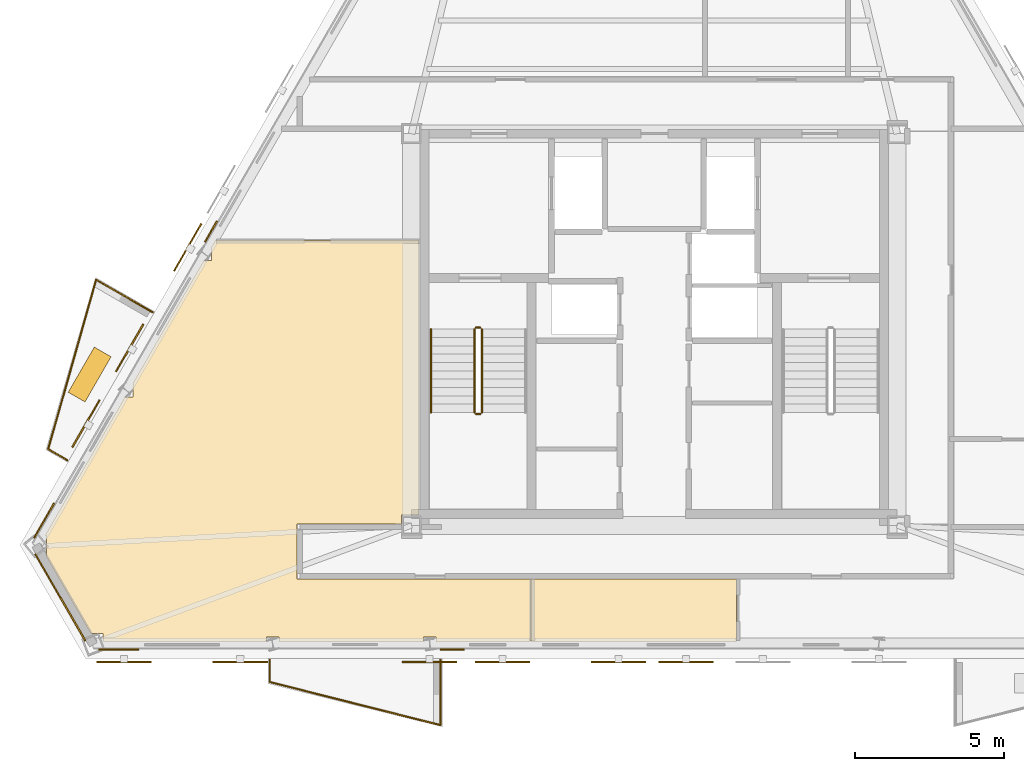
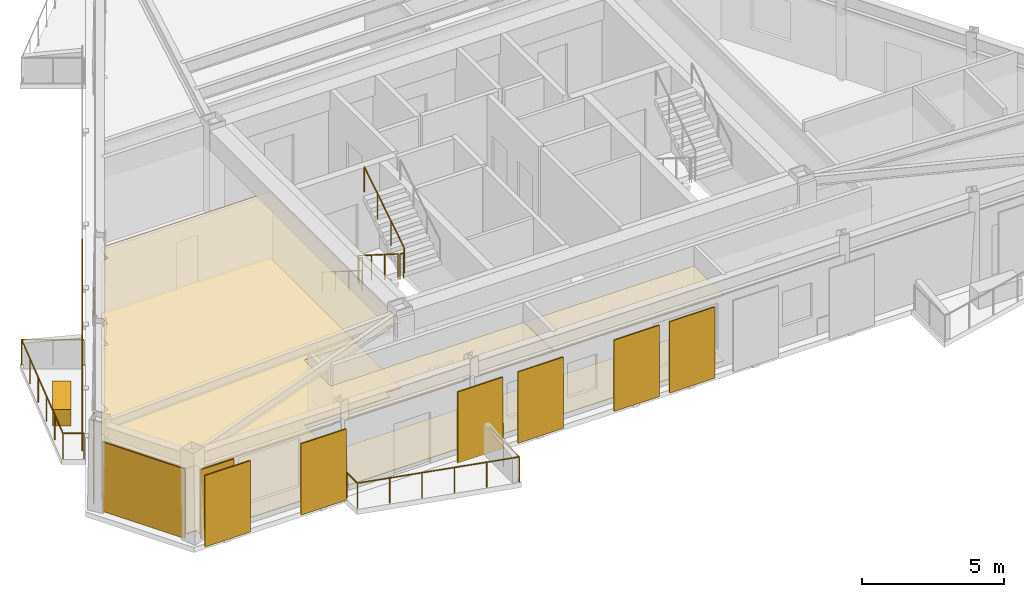
# One storey, part 6 of 9: 11 railings, 10 coverings, 9 shading devices.
"""IFC4 building model written with IfcOpenShell, lengths in metres."""

from ifc_helpers import new_model, si_unit, direction, frame, origin, origin_2d, place, context, subcontext, project, spatial, polyline, rectangle, circle, outline, extrude, material, layer, layer_set, type_object, element, save


model = new_model("IFC4")

# Units and contexts
model_context = context("Model", 3, precision=1e-05, world=origin(), true_north=direction((0.0, 1.0)))
body_context = subcontext(model_context, "Body", "Model", "MODEL_VIEW")
ifc_project = project(units=[si_unit("LENGTHUNIT", "METRE"), si_unit("AREAUNIT", "SQUARE_METRE"), si_unit("VOLUMEUNIT", "CUBIC_METRE"), si_unit("PLANEANGLEUNIT", "RADIAN"), si_unit("MASSUNIT", "GRAM", prefix="KILO")], contexts=[model_context])

# Site, building, storey
site_placement = place(None, origin())
site = spatial("IfcSite", under=ifc_project, at=site_placement, CompositionType="ELEMENT")
building_placement = place(site_placement, origin())
building = spatial("IfcBuilding", under=site, at=building_placement, Name="Oramaril Tower", CompositionType="ELEMENT")
storey_placement = place(building_placement, frame((0.0, 0.0, 301.199951171875)))
storey = spatial("IfcBuildingStorey", under=building, at=storey_placement, Name="L79", CompositionType="ELEMENT", Elevation=301.199951171875)

# Coverings
ifc_material_1 = material(Name="Mineral Fibre Acoustic Ceiling")
ifc_layer_1 = layer(ifc_material_1, 0.02001953125)
ifc_layer_set_1 = layer_set([ifc_layer_1], Name="CVT-CEIL")
covering_type_1 = type_object("IfcCoveringType", Name="CVT-CEIL", PredefinedType="CEILING", material=ifc_layer_set_1)
covering_1_placement = place(storey_placement, frame((0.0, 0.0, 2.81201171875)))
element("IfcCovering", 1, at=covering_1_placement, inside=storey, type_object=covering_type_1, Name="L79 Acoustic Suspended Ceiling 6", PredefinedType="CEILING", context=body_context, shape_type="SweptSolid", body=[
    extrude(outline(polyline([(33.35791015625, 7.105712890625), (33.35791015625, 9.199951171875), (40.250732421875, 9.199951171875), (40.250732421875, 7.105712890625), (33.35791015625, 7.105712890625)])), origin(), (0.0, 0.0, 1.0), 0.02001953125),
])
covering_2_placement = place(storey_placement, frame((0.0, 0.0, 2.81201171875)))
element("IfcCovering", 2, at=covering_2_placement, inside=storey, type_object=covering_type_1, Name="L79 Acoustic Suspended Ceiling 7", PredefinedType="CEILING", context=body_context, shape_type="SweptSolid", body=[
    extrude(outline(polyline([(19.9990234375, 15.31591796875), (19.9990234375, 15.769287109375), (19.995361328125, 15.769287109375), (22.372314453125, 19.88671875), (22.637939453125, 19.88671875), (22.637939453125, 20.335205078125), (22.63134765625, 20.335205078125), (22.77490234375, 20.583984375), (29.60009765625, 20.583984375), (29.60009765625, 11.344970703125), (29.0048828125, 11.344970703125), (29.0048828125, 11.050048828125), (25.52001953125, 11.050048828125), (25.51806640625, 11.0498046875), (25.51611328125, 11.049560546875), (25.51416015625, 11.049072265625), (25.51220703125, 11.048583984375), (25.510498046875, 11.047607421875), (25.5087890625, 11.046630859375), (25.50732421875, 11.04541015625), (25.505859375, 11.044189453125), (25.50439453125, 11.042724609375), (25.50341796875, 11.041015625), (25.50244140625, 11.039306640625), (25.50146484375, 11.03759765625), (25.5009765625, 11.035888671875), (25.50048828125, 11.033935546875), (25.5, 11.031982421875), (25.5, 11.030029296875), (25.5, 9.219970703125), (25.5, 9.218017578125), (25.50048828125, 9.216064453125), (25.5009765625, 9.214111328125), (25.50146484375, 9.21240234375), (25.50244140625, 9.210693359375), (25.50341796875, 9.208984375), (25.50439453125, 9.207275390625), (25.505859375, 9.205810546875), (25.50732421875, 9.20458984375), (25.5087890625, 9.203369140625), (25.510498046875, 9.202392578125), (25.51220703125, 9.201416015625), (25.51416015625, 9.200927734375), (25.51611328125, 9.200439453125), (25.51806640625, 9.2001953125), (25.52001953125, 9.199951171875), (33.337890625, 9.199951171875), (33.337890625, 7.105712890625), (30.175048828125, 7.105712890625), (30.175048828125, 7.26025390625), (29.75341796875, 7.26025390625), (29.75341796875, 7.105712890625), (24.90283203125, 7.105712890625), (24.90283203125, 7.26025390625), (24.475341796875, 7.26025390625), (24.475341796875, 7.105712890625), (18.9912109375, 7.105712890625), (18.9912109375, 7.373779296875), (18.578857421875, 7.373779296875), (17.0751953125, 9.978271484375), (17.096435546875, 9.978271484375), (17.096435546875, 10.664794921875), (17.048095703125, 10.664794921875), (19.7333984375, 15.31591796875), (19.9990234375, 15.31591796875)])), origin(), (0.0, 0.0, 1.0), 0.02001953125),
])
ifc_material_2 = material(Name="Warm Cream Limestone", Category="masonry")
ifc_layer_2 = layer(ifc_material_2, 0.050048828125)
ifc_layer_set_2 = layer_set([ifc_layer_2], Name="CVT-CLD")
covering_type_2 = type_object("IfcCoveringType", Name="CVT-CLD", PredefinedType="CLADDING", material=ifc_layer_set_2)
covering_3_placement = place(storey_placement, frame((17.5595703125, 8.58740234375, 0.0400390625), z_axis=(0.0, 0.0, 1.0), x_axis=(0.4999984885, -0.866026276448, 0.0)))
element("IfcCovering", 3, at=covering_3_placement, inside=storey, type_object=covering_type_2, Name="L79 Warm Cream Limestone Cladding", PredefinedType="CLADDING", context=body_context, shape_type="SweptSolid", body=[
    extrude(rectangle(XDim=3.364990234375, YDim=0.050048828125, at=origin_2d()), origin(), (0.0, 0.0, 1.0), 2.97802734375),
])
covering_4_placement = place(storey_placement, frame((19.521240234375, 6.82958984375, 0.0400390625), z_axis=(0.0, 0.0, 1.0), x_axis=(1.0, 0.0, 0.0)))
element("IfcCovering", 4, at=covering_4_placement, inside=storey, type_object=covering_type_2, Name="L79 Warm Cream Limestone Cladding", PredefinedType="CLADDING", context=body_context, shape_type="SweptSolid", body=[
    extrude(rectangle(XDim=1.35009765625, YDim=0.050048828125, at=origin_2d()), origin(), (0.0, 0.0, 1.0), 2.97802734375),
])
covering_5_placement = place(storey_placement, frame((30.7216796875, 6.82958984375, 0.0400390625), z_axis=(0.0, 0.0, 1.0), x_axis=(1.0, 0.0, 0.0)))
element("IfcCovering", 5, at=covering_5_placement, inside=storey, type_object=covering_type_2, Name="L79 Warm Cream Limestone Spandrel Cladding", PredefinedType="CLADDING", context=body_context, shape_type="SweptSolid", body=[
    extrude(rectangle(XDim=0.800048828125, YDim=0.050048828125, at=origin_2d()), origin(), (0.0, 0.0, 1.0), 0.679931640625),
])
covering_6_placement = place(storey_placement, frame((17.018310546875, 11.1650390625, 0.0400390625), z_axis=(0.0, 0.0, 1.0), x_axis=(-0.500001511499, -0.866024531118, 0.0)))
element("IfcCovering", 6, at=covering_6_placement, inside=storey, type_object=covering_type_2, Name="L79 Warm Cream Limestone Cladding", PredefinedType="CLADDING", context=body_context, shape_type="SweptSolid", body=[
    extrude(rectangle(XDim=1.35009765625, YDim=0.050048828125, at=origin_2d()), origin(), (0.0, 0.0, 1.0), 2.97802734375),
])
covering_7_placement = place(storey_placement, frame((22.618408203125, 20.864990234375, 0.0400390625), z_axis=(0.0, 0.0, 1.0), x_axis=(-0.500001511499, -0.866024531118, 0.0)))
element("IfcCovering", 7, at=covering_7_placement, inside=storey, type_object=covering_type_2, Name="L79 Warm Cream Limestone Spandrel Cladding", PredefinedType="CLADDING", context=body_context, shape_type="SweptSolid", body=[
    extrude(rectangle(XDim=0.800048828125, YDim=0.050048828125, at=origin_2d()), origin(), (0.0, 0.0, 1.0), 0.679931640625),
])
covering_8_placement = place(storey_placement, frame((18.54541015625, 16.067626953125, 0.0), z_axis=(0.0, 0.0, 1.0), x_axis=(-0.500001511499, -0.866024531118, 0.0)))
element("IfcCovering", 8, at=covering_8_placement, inside=storey, type_object=covering_type_2, Name="L79 Structural Tree Planter Box L79-BAL-NW2", PredefinedType="CLADDING", context=body_context, shape_type="SweptSolid", body=[
    extrude(rectangle(XDim=1.75, YDim=0.64990234375, at=origin_2d()), origin(), (0.0, 0.0, 1.0), 0.699951171875),
])
ifc_material_3 = material(Name="Honed Quartzite Stone Flooring", Category="masonry")
ifc_layer_3 = layer(ifc_material_3, 0.02490234375)
ifc_layer_set_3 = layer_set([ifc_layer_3], Name="CVT-FLR")
covering_type_3 = type_object("IfcCoveringType", Name="CVT-FLR", PredefinedType="FLOORING", material=ifc_layer_set_3)
covering_9_placement = place(storey_placement, origin())
element("IfcCovering", 9, at=covering_9_placement, inside=storey, type_object=covering_type_3, Name="L79 Honed Stone Floor Finish 6", PredefinedType="FLOORING", context=body_context, shape_type="SweptSolid", body=[
    extrude(outline(polyline([(33.35791015625, 7.105712890625), (33.35791015625, 9.199951171875), (40.250732421875, 9.199951171875), (40.250732421875, 7.105712890625), (33.35791015625, 7.105712890625)])), origin(), (0.0, 0.0, 1.0), 0.025146484375),
])
covering_10_placement = place(storey_placement, origin())
element("IfcCovering", 10, at=covering_10_placement, inside=storey, type_object=covering_type_3, Name="L79 Honed Stone Floor Finish 7", PredefinedType="FLOORING", context=body_context, shape_type="SweptSolid", body=[
    extrude(outline(polyline([(19.9990234375, 15.31591796875), (19.9990234375, 15.769287109375), (19.995361328125, 15.769287109375), (22.372314453125, 19.88671875), (22.637939453125, 19.88671875), (22.637939453125, 20.335205078125), (22.63134765625, 20.335205078125), (22.77490234375, 20.583984375), (29.60009765625, 20.583984375), (29.60009765625, 11.344970703125), (29.0048828125, 11.344970703125), (29.0048828125, 11.050048828125), (25.52001953125, 11.050048828125), (25.51806640625, 11.0498046875), (25.51611328125, 11.049560546875), (25.51416015625, 11.049072265625), (25.51220703125, 11.048583984375), (25.510498046875, 11.047607421875), (25.5087890625, 11.046630859375), (25.50732421875, 11.04541015625), (25.505859375, 11.044189453125), (25.50439453125, 11.042724609375), (25.50341796875, 11.041015625), (25.50244140625, 11.039306640625), (25.50146484375, 11.03759765625), (25.5009765625, 11.035888671875), (25.50048828125, 11.033935546875), (25.5, 11.031982421875), (25.5, 11.030029296875), (25.5, 9.219970703125), (25.5, 9.218017578125), (25.50048828125, 9.216064453125), (25.5009765625, 9.214111328125), (25.50146484375, 9.21240234375), (25.50244140625, 9.210693359375), (25.50341796875, 9.208984375), (25.50439453125, 9.207275390625), (25.505859375, 9.205810546875), (25.50732421875, 9.20458984375), (25.5087890625, 9.203369140625), (25.510498046875, 9.202392578125), (25.51220703125, 9.201416015625), (25.51416015625, 9.200927734375), (25.51611328125, 9.200439453125), (25.51806640625, 9.2001953125), (25.52001953125, 9.199951171875), (33.337890625, 9.199951171875), (33.337890625, 7.105712890625), (30.175048828125, 7.105712890625), (30.175048828125, 7.26025390625), (29.75341796875, 7.26025390625), (29.75341796875, 7.105712890625), (24.90283203125, 7.105712890625), (24.90283203125, 7.26025390625), (24.475341796875, 7.26025390625), (24.475341796875, 7.105712890625), (18.9912109375, 7.105712890625), (18.9912109375, 7.373779296875), (18.578857421875, 7.373779296875), (17.0751953125, 9.978271484375), (17.096435546875, 9.978271484375), (17.096435546875, 10.664794921875), (17.048095703125, 10.664794921875), (19.7333984375, 15.31591796875), (19.9990234375, 15.31591796875)])), origin(), (0.0, 0.0, 1.0), 0.025146484375),
])

# Railings
ifc_material_4 = material(Name="Stainless Steel 316L", Category="steel")
railing_type_1 = type_object("IfcRailingType", Name="RLT-GRD", PredefinedType="GUARDRAIL", material=ifc_material_4)
railing_1_placement = place(storey_placement, frame((30.320556640625, 6.48974609375, 0.0)))
element("IfcRailing", 11, at=railing_1_placement, inside=storey, type_object=railing_type_1, Name="L79 Balcony Guardrail L79-BAL-S1.1", PredefinedType="GUARDRAIL", context=body_context, shape_type="SweptSolid", body=[
    extrude(circle(Radius=0.02392578125, at=origin_2d()), frame((0.0, 0.0, 1.076171875), z_axis=(0.0, -1.0, 0.0), x_axis=(1.0, 0.0, 0.0)), (0.0, 0.0, 1.0), 2.192138671875),
    extrude(circle(Radius=0.02099609375, at=origin_2d()), origin(), (0.0, 0.0, 1.0), 1.052001953125),
    extrude(circle(Radius=0.02099609375, at=origin_2d()), frame((0.0, -1.09619140625, 0.0)), (0.0, 0.0, 1.0), 1.052001953125),
    extrude(circle(Radius=0.02099609375, at=origin_2d()), frame((0.0, -2.192138671875, 0.0)), (0.0, 0.0, 1.0), 1.052001953125),
])
railing_2_placement = place(storey_placement, frame((30.320556640625, 4.297607421875, 0.0)))
element("IfcRailing", 12, at=railing_2_placement, inside=storey, type_object=railing_type_1, Name="L79 Balcony Guardrail L79-BAL-S1.2", PredefinedType="GUARDRAIL", context=body_context, shape_type="SweptSolid", body=[
    extrude(circle(Radius=0.02392578125, at=origin_2d()), frame((0.0, 0.0, 1.076171875), z_axis=(-0.969433787338, 0.245353076131, 0.0), x_axis=(-0.245353076131, -0.969433787338, 0.0)), (0.0, 0.0, 1.0), 5.91064453125),
    extrude(circle(Radius=0.02099609375, at=origin_2d()), origin(), (0.0, 0.0, 1.0), 1.052001953125),
    extrude(circle(Radius=0.02099609375, at=origin_2d()), frame((-1.14599609375, 0.2900390625, 0.0)), (0.0, 0.0, 1.0), 1.052001953125),
    extrude(circle(Radius=0.02099609375, at=origin_2d()), frame((-2.2919921875, 0.580078125, 0.0)), (0.0, 0.0, 1.0), 1.052001953125),
    extrude(circle(Radius=0.02099609375, at=origin_2d()), frame((-3.43798828125, 0.8701171875, 0.0)), (0.0, 0.0, 1.0), 1.052001953125),
    extrude(circle(Radius=0.02099609375, at=origin_2d()), frame((-4.583984375, 1.16015625, 0.0)), (0.0, 0.0, 1.0), 1.052001953125),
    extrude(circle(Radius=0.02099609375, at=origin_2d()), frame((-5.72998046875, 1.4501953125, 0.0)), (0.0, 0.0, 1.0), 1.052001953125),
])
railing_3_placement = place(storey_placement, frame((24.590576171875, 5.747802734375, 0.0)))
element("IfcRailing", 13, at=railing_3_placement, inside=storey, type_object=railing_type_1, Name="L79 Balcony Guardrail L79-BAL-S1.3", PredefinedType="GUARDRAIL", context=body_context, shape_type="SweptSolid", body=[
    extrude(circle(Radius=0.02392578125, at=origin_2d()), frame((0.0, 0.0, 1.076171875), z_axis=(0.0, 1.0, 0.0), x_axis=(-1.0, 0.0, 0.0)), (0.0, 0.0, 1.0), 0.741943359375),
    extrude(circle(Radius=0.02099609375, at=origin_2d()), origin(), (0.0, 0.0, 1.0), 1.052001953125),
    extrude(circle(Radius=0.02099609375, at=origin_2d()), frame((0.0, 0.741943359375, 0.0)), (0.0, 0.0, 1.0), 1.052001953125),
])
railing_4_placement = place(storey_placement, frame((17.7958984375, 13.192138671875, 0.0)))
element("IfcRailing", 14, at=railing_4_placement, inside=storey, type_object=railing_type_1, Name="L79 Balcony Guardrail L79-BAL-NW2.1", PredefinedType="GUARDRAIL", context=body_context, shape_type="SweptSolid", body=[
    extrude(circle(Radius=0.02392578125, at=origin_2d()), frame((0.0, 0.0, 1.076171875), z_axis=(-0.865966403178, 0.500102178127, 0.0), x_axis=(-0.500102178127, -0.865966403178, 0.0)), (0.0, 0.0, 1.0), 0.741943359375),
    extrude(circle(Radius=0.02099609375, at=origin_2d()), origin(), (0.0, 0.0, 1.0), 1.052001953125),
    extrude(circle(Radius=0.02099609375, at=origin_2d()), frame((-0.642578125, 0.37109375, 0.0)), (0.0, 0.0, 1.0), 1.052001953125),
])
railing_5_placement = place(storey_placement, frame((17.1533203125, 13.563232421875, 0.0)))
element("IfcRailing", 15, at=railing_5_placement, inside=storey, type_object=railing_type_1, Name="L79 Balcony Guardrail L79-BAL-NW2.2", PredefinedType="GUARDRAIL", context=body_context, shape_type="SweptSolid", body=[
    extrude(circle(Radius=0.02392578125, at=origin_2d()), frame((0.0, 0.0, 1.076171875), z_axis=(0.272287109361, 0.962216051662, 0.0), x_axis=(-0.962216051662, 0.272287109361, 0.0)), (0.0, 0.0, 1.0), 5.91064453125),
    extrude(circle(Radius=0.02099609375, at=origin_2d()), origin(), (0.0, 0.0, 1.0), 1.052001953125),
    extrude(circle(Radius=0.02099609375, at=origin_2d()), frame((0.32177734375, 1.137451171875, 0.0)), (0.0, 0.0, 1.0), 1.052001953125),
    extrude(circle(Radius=0.02099609375, at=origin_2d()), frame((0.643798828125, 2.27490234375, 0.0)), (0.0, 0.0, 1.0), 1.052001953125),
    extrude(circle(Radius=0.02099609375, at=origin_2d()), frame((0.965576171875, 3.412353515625, 0.0)), (0.0, 0.0, 1.0), 1.052001953125),
    extrude(circle(Radius=0.02099609375, at=origin_2d()), frame((1.28759765625, 4.5498046875, 0.0)), (0.0, 0.0, 1.0), 1.052001953125),
    extrude(circle(Radius=0.02099609375, at=origin_2d()), frame((1.609375, 5.687255859375, 0.0)), (0.0, 0.0, 1.0), 1.052001953125),
])
railing_6_placement = place(storey_placement, frame((18.7626953125, 19.25048828125, 0.0)))
element("IfcRailing", 16, at=railing_6_placement, inside=storey, type_object=railing_type_1, Name="L79 Balcony Guardrail L79-BAL-NW2.3", PredefinedType="GUARDRAIL", context=body_context, shape_type="SweptSolid", body=[
    extrude(circle(Radius=0.02392578125, at=origin_2d()), frame((0.0, 0.0, 1.076171875), z_axis=(0.865972267571, -0.50009202333, 0.0), x_axis=(0.50009202333, 0.865972267571, 0.0)), (0.0, 0.0, 1.0), 2.19189453125),
    extrude(circle(Radius=0.02099609375, at=origin_2d()), origin(), (0.0, 0.0, 1.0), 1.052001953125),
    extrude(circle(Radius=0.02099609375, at=origin_2d()), frame((0.94921875, -0.548095703125, 0.0)), (0.0, 0.0, 1.0), 1.052001953125),
    extrude(circle(Radius=0.02099609375, at=origin_2d()), frame((1.898193359375, -1.09619140625, 0.0)), (0.0, 0.0, 1.0), 1.052001953125),
])
railing_7_placement = place(storey_placement, frame((31.4599609375, 17.590087890625, 0.17724609375)))
element("IfcRailing", 17, at=railing_7_placement, inside=storey, type_object=railing_type_1, Name="L79 ST-1 stair guard 1", PredefinedType="GUARDRAIL", context=body_context, shape_type="SweptSolid", body=[
    extrude(circle(Radius=0.02392578125, at=origin_2d()), frame((0.0, 0.0, 1.076171875), z_axis=(0.0, -0.844908973607, 0.534910110503), x_axis=(1.0, 0.0, 0.0)), (0.0, 0.0, 1.0), 3.31396484375),
    extrude(circle(Radius=0.02099609375, at=origin_2d()), origin(), (0.0, 0.0, 1.0), 1.052001953125),
    extrude(circle(Radius=0.02099609375, at=origin_2d()), frame((0.0, -0.933349609375, 0.5908203125)), (0.0, 0.0, 1.0), 1.052001953125),
    extrude(circle(Radius=0.02099609375, at=origin_2d()), frame((0.0, -1.86669921875, 1.181884765625)), (0.0, 0.0, 1.0), 1.052001953125),
    extrude(circle(Radius=0.02099609375, at=origin_2d()), frame((0.0, -2.800048828125, 1.772705078125)), (0.0, 0.0, 1.0), 1.052001953125),
])
railing_8_placement = place(storey_placement, frame((31.510009765625, 14.739990234375, 1.949951171875)))
element("IfcRailing", 18, at=railing_8_placement, inside=storey, type_object=railing_type_1, Name="L79 ST-1 stair guard 2", PredefinedType="GUARDRAIL", context=body_context, shape_type="SweptSolid", body=[
    extrude(circle(Radius=0.02392578125, at=origin_2d()), frame((0.0, 0.0, 1.076171875), z_axis=(1.0, 0.0, 0.0), x_axis=(0.0, 1.0, 0.0)), (0.0, 0.0, 1.0), 0.14990234375),
    extrude(circle(Radius=0.02099609375, at=origin_2d()), origin(), (0.0, 0.0, 1.0), 1.052001953125),
    extrude(circle(Radius=0.02099609375, at=origin_2d()), frame((0.14990234375, 0.0, 0.0)), (0.0, 0.0, 1.0), 1.052001953125),
])
railing_9_placement = place(storey_placement, frame((31.7099609375, 14.7900390625, 2.12744140625)))
element("IfcRailing", 19, at=railing_9_placement, inside=storey, type_object=railing_type_1, Name="L79 ST-1 stair guard 3", PredefinedType="GUARDRAIL", context=body_context, shape_type="SweptSolid", body=[
    extrude(circle(Radius=0.02392578125, at=origin_2d()), frame((0.0, 0.0, 1.076171875), z_axis=(0.0, 0.844908973607, 0.534910110503), x_axis=(-1.0, 0.0, 0.0)), (0.0, 0.0, 1.0), 3.31396484375),
    extrude(circle(Radius=0.02099609375, at=origin_2d()), origin(), (0.0, 0.0, 1.0), 1.052001953125),
    extrude(circle(Radius=0.02099609375, at=origin_2d()), frame((0.0, 0.933349609375, 0.5908203125)), (0.0, 0.0, 1.0), 1.052001953125),
    extrude(circle(Radius=0.02099609375, at=origin_2d()), frame((0.0, 1.86669921875, 1.181884765625)), (0.0, 0.0, 1.0), 1.052001953125),
    extrude(circle(Radius=0.02099609375, at=origin_2d()), frame((0.0, 2.800048828125, 1.772705078125)), (0.0, 0.0, 1.0), 1.052001953125),
])
railing_10_placement = place(storey_placement, frame((31.510009765625, 17.639892578125, 0.0)))
element("IfcRailing", 20, at=railing_10_placement, inside=storey, type_object=railing_type_1, Name="L79 ST-1 stair guard 4", PredefinedType="GUARDRAIL", context=body_context, shape_type="SweptSolid", body=[
    extrude(circle(Radius=0.02392578125, at=origin_2d()), frame((0.0, 0.0, 1.076171875), z_axis=(1.0, 0.0, 0.0), x_axis=(0.0, 1.0, 0.0)), (0.0, 0.0, 1.0), 0.14990234375),
    extrude(circle(Radius=0.02099609375, at=origin_2d()), origin(), (0.0, 0.0, 1.0), 1.052001953125),
    extrude(circle(Radius=0.02099609375, at=origin_2d()), frame((0.14990234375, 0.0, 0.0)), (0.0, 0.0, 1.0), 1.052001953125),
])
ifc_material_5 = material(Name="Stainless Steel 316L", Category="steel")
railing_type_2 = type_object("IfcRailingType", Name="RLT-HND", PredefinedType="HANDRAIL", material=ifc_material_5)
railing_11_placement = place(storey_placement, frame((30.0, 17.590087890625, 0.17724609375)))
element("IfcRailing", 21, at=railing_11_placement, inside=storey, type_object=railing_type_2, Name="L79 ST-1 stair handrail 1", PredefinedType="HANDRAIL", context=body_context, shape_type="SweptSolid", body=[
    extrude(circle(Radius=0.02392578125, at=origin_2d()), frame((0.0, 0.0, 0.8759765625), z_axis=(0.0, -0.844908973607, 0.534910110503), x_axis=(1.0, 0.0, 0.0)), (0.0, 0.0, 1.0), 3.31396484375),
    extrude(circle(Radius=0.02099609375, at=origin_2d()), origin(), (0.0, 0.0, 1.0), 0.851806640625),
    extrude(circle(Radius=0.02099609375, at=origin_2d()), frame((0.0, -0.933349609375, 0.5908203125)), (0.0, 0.0, 1.0), 0.851806640625),
    extrude(circle(Radius=0.02099609375, at=origin_2d()), frame((0.0, -1.86669921875, 1.181884765625)), (0.0, 0.0, 1.0), 0.851806640625),
    extrude(circle(Radius=0.02099609375, at=origin_2d()), frame((0.0, -2.800048828125, 1.772705078125)), (0.0, 0.0, 1.0), 0.851806640625),
])

# Shading devices
for number, where, z_axis, x_axis, name in (
    (22, (32.402099609375, 6.417724609375, -0.02001953125), (0.0, 0.0, 1.0), (1.0, 0.0, 0.0), "L79 Perforated Ceramic Solar Screen"),
    (23, (36.302001953125, 6.417724609375, -0.02001953125), (0.0, 0.0, 1.0), (1.0, 0.0, 0.0), "L79 Perforated Ceramic Solar Screen"),
    (24, (38.55712890625, 6.417724609375, -0.02001953125), (0.0, 0.0, 1.0), (1.0, 0.0, 0.0), "L79 Perforated Ceramic Solar Screen"),
    (25, (19.7001953125, 6.417724609375, -0.02001953125), (0.0, 0.0, 1.0), (1.0, 0.0, 0.0), "L79 Perforated Ceramic Solar Screen"),
    (26, (23.60009765625, 6.417724609375, -0.02001953125), (0.0, 0.0, 1.0), (1.0, 0.0, 0.0), "L79 Perforated Ceramic Solar Screen"),
    (27, (29.956787109375, 6.417724609375, -0.02001953125), (0.0, 0.0, 1.0), (1.0, 0.0, 0.0), "L79 Perforated Ceramic Solar Screen"),
    (28, (21.838623046875, 20.338134765625, -0.02001953125), (0.0, 0.0, 1.0), (-0.500001511499, -0.866024531118, 0.0), "L79 Perforated Ceramic Solar Screen"),
    (29, (19.888671875, 16.960693359375, -0.02001953125), (0.0, 0.0, 1.0), (-0.500001511499, -0.866024531118, 0.0), "L79 Perforated Ceramic Solar Screen"),
    (30, (18.421875, 14.420166015625, -0.02001953125), (0.0, 0.0, 1.0), (-0.500001511499, -0.866024531118, 0.0), "L79 Perforated Ceramic Solar Screen"),
):
    element("IfcShadingDevice", number, at=place(storey_placement, frame(where, z_axis=z_axis, x_axis=x_axis)), inside=storey, Name=name, ObjectType="SCREEN", PredefinedType="USERDEFINED", context=body_context, shape_type="SweptSolid", body=[
        extrude(rectangle(XDim=1.8330078125, YDim=0.050048828125, at=origin_2d()), origin(), (0.0, 0.0, 1.0), 3.05810546875),
    ])

save(model, "model.ifc")
